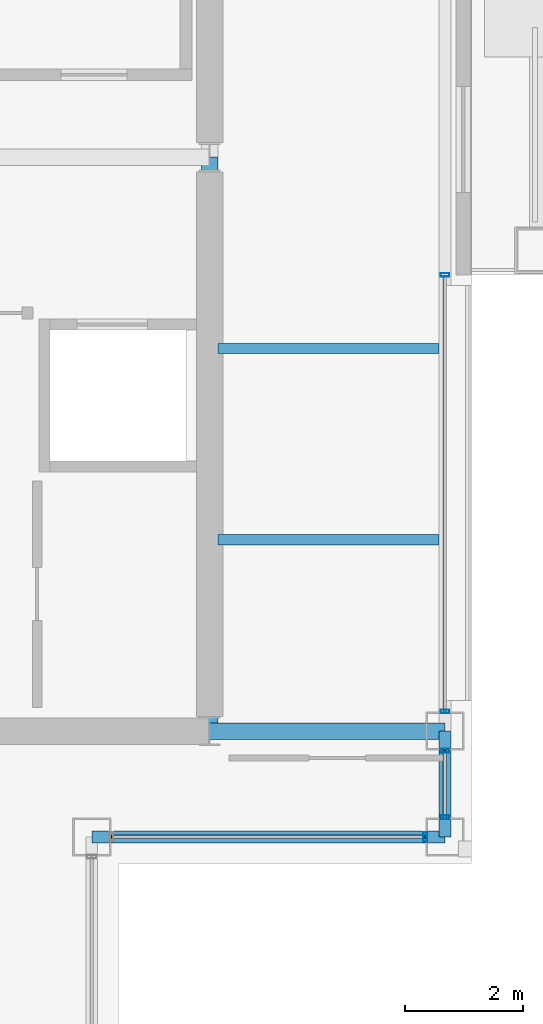
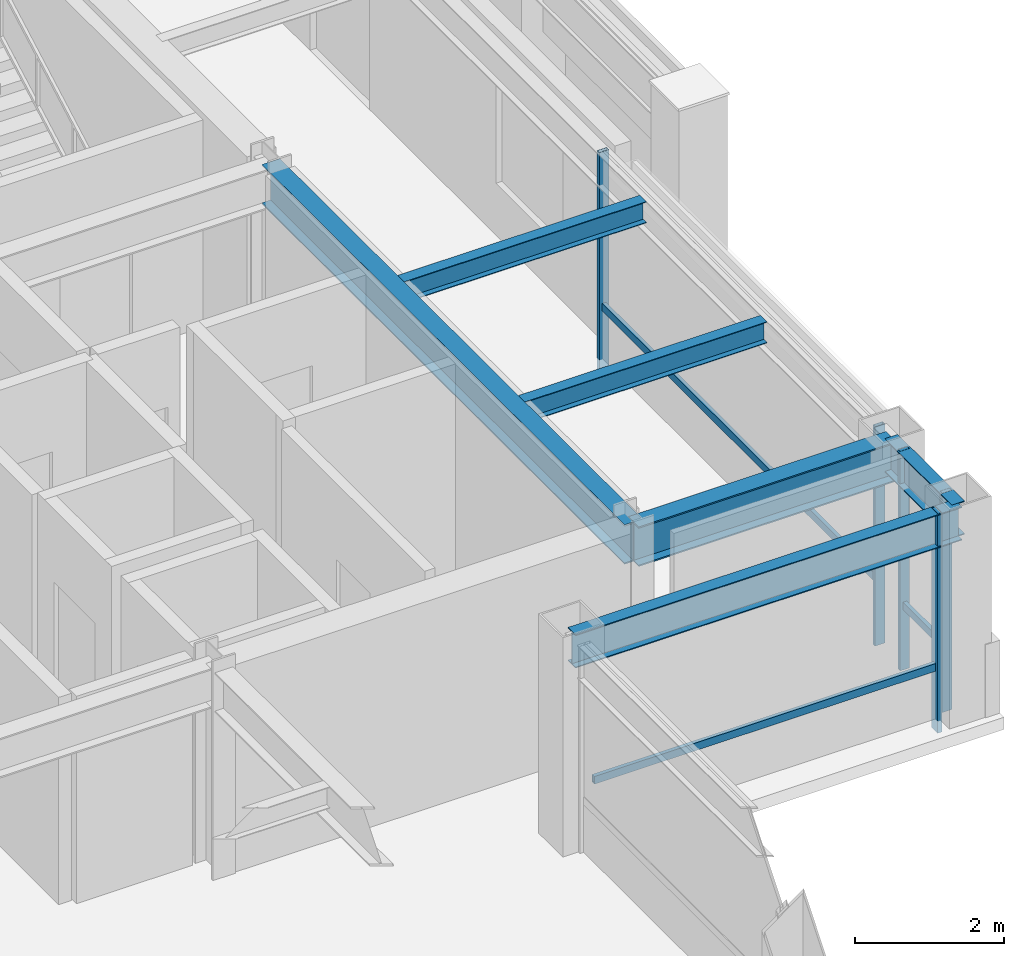
# One storey, part 11 of 23: 8 members, 6 beams, 3 elements without a shape of their own.
"""IFC4 building model written with IfcOpenShell, lengths in metres."""

import ifcopenshell
import ifcopenshell.guid

model = None  # the IFC model being written
_history = None  # IfcOwnerHistory: only IFC2X3 demands one
_inside = {}  # id of a spatial element -> (the spatial element, [elements in it])
_under = {}  # id of a project, library or spatial element -> (it, [spatial elements below it])
_declared = {}  # id of a project -> (the project, [libraries it declares])
_typed = {}  # id of a type object -> (the type object, [elements of that type])
_made_of = {}  # id of a material, layer set ... -> (it, [elements and type objects made of it])


def new_model(schema):
    """Start an empty IFC model of exactly this schema.

    Asked for "IFC4X3", IfcOpenShell would pick the latest addendum, in which some entities
    have other attributes; the version numbers below select the first issue.
    IFC2X3 requires an IfcOwnerHistory on every rooted entity: one is made here for all.
    """
    global model, _history
    if schema == "IFC4X3":
        model = ifcopenshell.file(schema_version=(4, 3, 0, 0))
    else:
        model = ifcopenshell.file(schema=schema)
    _inside.clear()
    _under.clear()
    _declared.clear()
    _typed.clear()
    _made_of.clear()
    _history = None
    if model.schema == "IFC2X3":
        org = make("IfcOrganization", Name="unknown")
        user = make(
            "IfcPersonAndOrganization",
            ThePerson=make("IfcPerson", FamilyName="unknown"),
            TheOrganization=org,
        )
        app = make(
            "IfcApplication",
            ApplicationDeveloper=org,
            Version="unknown",
            ApplicationFullName="unknown",
            ApplicationIdentifier="unknown",
        )
        _history = make(
            "IfcOwnerHistory",
            OwningUser=user,
            OwningApplication=app,
            ChangeAction="ADDED",
            CreationDate=0,
        )
    return model


def make(cls, **values):
    """One entity of the class cls with the attributes given. An attribute that is None is left unset."""
    return model.create_entity(
        cls, **{name: value for name, value in values.items() if value is not None}
    )


def rooted(cls, **values):
    """An entity with a GlobalId (a new one), such as an element, a storey or a relation."""
    return make(cls, GlobalId=ifcopenshell.guid.new(), OwnerHistory=_history, **values)


def si_unit(unit_type, name, prefix=None):
    """IfcSIUnit, for example si_unit("LENGTHUNIT", "METRE", prefix="MILLI")."""
    return make("IfcSIUnit", UnitType=unit_type, Prefix=prefix, Name=name)


def assignment(units):
    """IfcUnitAssignment: the units of a project."""
    return None if units is None else make("IfcUnitAssignment", Units=units)


def point(xyz):
    """IfcCartesianPoint."""
    return None if xyz is None else make("IfcCartesianPoint", Coordinates=xyz)


def direction(xyz):
    """IfcDirection."""
    return None if xyz is None else make("IfcDirection", DirectionRatios=xyz)


def frame(location, z_axis=None, x_axis=None):
    """IfcAxis2Placement3D, a coordinate frame: its origin and axes. An axis left out is left unset."""
    return make(
        "IfcAxis2Placement3D",
        Location=point(location),
        Axis=direction(z_axis),
        RefDirection=direction(x_axis),
    )


def frame_2d(location, x_axis=None):
    """IfcAxis2Placement2D, a coordinate frame in the plane: its origin and x axis."""
    return make(
        "IfcAxis2Placement2D", Location=point(location), RefDirection=direction(x_axis)
    )


def origin():
    """The frame at (0, 0, 0) with its axes left unset."""
    return frame((0.0, 0.0, 0.0))


def origin_2d():
    """The frame at (0, 0) in the plane with its x axis left unset."""
    return frame_2d((0.0, 0.0))


def place(relative_to, where):
    """IfcLocalPlacement: puts the frame where relative to a parent placement (None: the world)."""
    return make(
        "IfcLocalPlacement", PlacementRelTo=relative_to, RelativePlacement=where
    )


def context(
    kind, dimensions, precision=None, world=None, true_north=None, identifier=None
):
    """IfcGeometricRepresentationContext, for example the 3D "Model" context."""
    return make(
        "IfcGeometricRepresentationContext",
        ContextIdentifier=identifier,
        ContextType=kind,
        CoordinateSpaceDimension=dimensions,
        Precision=precision,
        WorldCoordinateSystem=world,
        TrueNorth=true_north,
    )


def subcontext(parent, identifier, kind, view, scale=None):
    """IfcGeometricRepresentationSubContext, for example "Body" below "Model"."""
    return make(
        "IfcGeometricRepresentationSubContext",
        ContextIdentifier=identifier,
        ContextType=kind,
        ParentContext=parent,
        TargetScale=scale,
        TargetView=view,
    )


def project(units=None, contexts=None):
    """IfcProject with its units and contexts."""
    return rooted(
        "IfcProject",
        Name="project",
        RepresentationContexts=contexts,
        UnitsInContext=assignment(units),
    )


def spatial(cls, under=None, at=None, **own):
    """A site, building, storey or space (cls), placed at a placement, below another one or the project."""
    s = rooted(cls, ObjectPlacement=at, **own)
    if under is not None:
        _under.setdefault(under.id(), (under, []))[1].append(s)
    return s


def profile(cls, at=None, kind="AREA", **sizes):
    """A parametric profile (cls). Its sizes go by their IFC names, for example OverallWidth=200.0."""
    return make(cls, ProfileType=kind, Position=at, **sizes)


def hollow_rectangle(**sizes):
    """IfcRectangleHollowProfileDef."""
    return profile("IfcRectangleHollowProfileDef", **sizes)


def i_section(**sizes):
    """IfcIShapeProfileDef."""
    return profile("IfcIShapeProfileDef", **sizes)


def extrude(swept, where, along, depth):
    """IfcExtrudedAreaSolid: the profile swept, set in the frame where, extruded along a direction by depth."""
    return make(
        "IfcExtrudedAreaSolid",
        SweptArea=swept,
        Position=where,
        ExtrudedDirection=direction(along),
        Depth=depth,
    )


def shape(context_of_items, identifier, shape_type, items):
    """IfcShapeRepresentation: the items that make up one representation, for example the "Body"."""
    return make(
        "IfcShapeRepresentation",
        ContextOfItems=context_of_items,
        RepresentationIdentifier=identifier,
        RepresentationType=shape_type,
        Items=items,
    )


def material(Name=None, Category=None):
    """IfcMaterial."""
    return make("IfcMaterial", Name=Name, Category=Category)


def layer(
    of_material, thickness, ventilated=None, Name=None, Category=None, Priority=None
):
    """IfcMaterialLayer: one layer of a wall or slab, of a material (None: an air gap)."""
    return make(
        "IfcMaterialLayer",
        Material=of_material,
        LayerThickness=thickness,
        IsVentilated=ventilated,
        Name=Name,
        Category=Category,
        Priority=Priority,
    )


def layer_set(layers, Name=None):
    """IfcMaterialLayerSet."""
    return make("IfcMaterialLayerSet", MaterialLayers=layers, LayerSetName=Name)


def material_profile(
    of_material, cross_section, Name=None, Category=None, Priority=None
):
    """IfcMaterialProfile: a cross section and its material."""
    return make(
        "IfcMaterialProfile",
        Name=Name,
        Material=of_material,
        Profile=cross_section,
        Priority=Priority,
        Category=Category,
    )


def profile_set(profiles, Name=None, composite=None):
    """IfcMaterialProfileSet."""
    return make(
        "IfcMaterialProfileSet",
        Name=Name,
        MaterialProfiles=profiles,
        CompositeProfile=composite,
    )


def made_of(thing, what):
    """Note that an element or type object is made of a material, layer set ...; save() writes the relation."""
    if what is not None:
        _made_of.setdefault(what.id(), (what, []))[1].append(thing)
    return thing


def type_object(cls, material=None, **own):
    """A type object (cls), such as IfcWallType, which elements share."""
    return made_of(rooted(cls, **own), material)


def element(
    cls,
    number,
    at=None,
    inside=None,
    cuts=None,
    type_object=None,
    material=None,
    context=None,
    identifier="Body",
    shape_type=None,
    held_by="IfcProductDefinitionShape",
    body=None,
    shapes=None,
    **own,
):
    """One element of the class cls, such as IfcWall. Its Tag is "e" and its number.

    at: its placement. inside: the storey or other place that contains it. cuts: it is an
    opening in that element (IfcRelVoidsElement). A single representation is given by context,
    identifier, shape_type and body (its items); several are given by shapes. held_by: the class
    of the entity that holds the representations. save() writes the other relations.
    """
    e = rooted(cls, Tag="e%d" % number, ObjectPlacement=at, **own)
    if body is not None:
        shapes = [shape(context, identifier, shape_type, body)]
    if shapes is not None:
        e.Representation = make(held_by, Representations=shapes)
    if inside is not None:
        _inside.setdefault(inside.id(), (inside, []))[1].append(e)
    if cuts is not None:
        rooted(
            "IfcRelVoidsElement", RelatingBuildingElement=cuts, RelatedOpeningElement=e
        )
    if type_object is not None:
        _typed.setdefault(type_object.id(), (type_object, []))[1].append(e)
    return made_of(e, material)


def aggregate(whole, parts):
    """IfcRelAggregates: a whole, such as a stair, and the parts it consists of."""
    return rooted("IfcRelAggregates", RelatingObject=whole, RelatedObjects=parts)


def save(model, path):
    """Write the relations noted so far, then the file.

    IfcRelAggregates (storeys below a building ...), IfcRelContainedInSpatialStructure (elements
    in a storey), IfcRelDefinesByType, IfcRelAssociatesMaterial and IfcRelDeclares: one each for
    every whole, place, type object, material and project.
    """
    for whole, parts in _under.values():
        aggregate(whole, parts)
    for where, things in _inside.values():
        rooted(
            "IfcRelContainedInSpatialStructure",
            RelatedElements=things,
            RelatingStructure=where,
        )
    for kind, things in _typed.values():
        rooted("IfcRelDefinesByType", RelatedObjects=things, RelatingType=kind)
    for what, things in _made_of.values():
        rooted("IfcRelAssociatesMaterial", RelatedObjects=things, RelatingMaterial=what)
    for by, libraries in _declared.values():
        rooted("IfcRelDeclares", RelatingContext=by, RelatedDefinitions=libraries)
    model.write(path)


model = new_model("IFC4")

# Units and contexts
model_context = context("Model", 3, precision=1e-05, world=origin(), true_north=direction((0.0, 1.0)))
body_context = subcontext(model_context, "Body", "Model", "MODEL_VIEW")
ifc_project = project(units=[si_unit("LENGTHUNIT", "METRE"), si_unit("AREAUNIT", "SQUARE_METRE"), si_unit("VOLUMEUNIT", "CUBIC_METRE"), si_unit("PLANEANGLEUNIT", "RADIAN"), si_unit("MASSUNIT", "GRAM", prefix="KILO")], contexts=[model_context])

# Site, building, storey
site_placement = place(None, origin())
site = spatial("IfcSite", under=ifc_project, at=site_placement, CompositionType="ELEMENT")
building_placement = place(site_placement, origin())
building = spatial("IfcBuilding", under=site, at=building_placement, Name="Brelmoor Portico Tower", CompositionType="ELEMENT")
storey_placement = place(building_placement, frame((0.0, 0.0, 222.0)))
storey = spatial("IfcBuildingStorey", under=building, at=storey_placement, Name="L58", CompositionType="ELEMENT", Elevation=222.0)

# Beams
ifc_material_1 = material(Name="Steel Q355B", Category="steel")
ifc_material_profile_1 = material_profile(ifc_material_1, i_section(OverallWidth=0.175048828125, OverallDepth=0.35009765625, WebThickness=0.007080078125, FlangeThickness=0.010986328125, at=origin_2d()), Name="HN 350x175x7x11")
ifc_profile_set_1 = profile_set([ifc_material_profile_1], Name="Steel Q355B")
beam_type_1 = type_object("IfcBeamType", Name="BM-JS-350", PredefinedType="JOIST", material=ifc_profile_set_1)
for number, where, z_axis, x_axis, name in (
    (1, (14.68994140625, -6.5, 3.22509765625), (1.0, 0.0, 0.0), (0.0, 1.0, 0.0), "L58 Secondary Wing Joist JS-E11"),
    (2, (14.68994140625, -3.25, 3.22509765625), (1.0, 0.0, 0.0), (0.0, 1.0, 0.0), "L58 Secondary Wing Joist JS-E12"),
):
    element("IfcBeam", number, at=place(storey_placement, frame(where, z_axis=z_axis, x_axis=x_axis)), inside=storey, type_object=beam_type_1, Name=name, PredefinedType="JOIST", context=body_context, shape_type="SweptSolid", body=[
        extrude(i_section(OverallWidth=0.175048828125, OverallDepth=0.35009765625, WebThickness=0.007080078125, FlangeThickness=0.010986328125, at=origin_2d()), origin(), (0.0, 0.0, 1.0), 3.760009765625),
    ])
ifc_material_profile_2 = material_profile(ifc_material_1, i_section(OverallWidth=0.280029296875, OverallDepth=0.64990234375, WebThickness=0.012939453125, FlangeThickness=0.02197265625, at=origin_2d()), Name="HN 650x280x13x22")
ifc_profile_set_2 = profile_set([ifc_material_profile_2], Name="Steel Q355B")
beam_type_2 = type_object("IfcBeamType", Name="BM-PG-650", PredefinedType="BEAM", material=ifc_profile_set_2)
beam_1_placement = place(storey_placement, frame((14.550048828125, -9.75, 3.074951171875), z_axis=(0.0, 1.0, 0.0), x_axis=(-1.0, 0.0, 0.0)))
element("IfcBeam", 3, at=beam_1_placement, inside=storey, type_object=beam_type_2, Name="L58 Primary Floor Girder PG-09", PredefinedType="BEAM", context=body_context, shape_type="SweptSolid", body=[
    extrude(i_section(OverallWidth=0.280029296875, OverallDepth=0.64990234375, WebThickness=0.012939453125, FlangeThickness=0.02197265625, at=origin_2d()), origin(), (0.0, 0.0, 1.0), 9.75),
])
beam_2_placement = place(storey_placement, frame((14.550048828125, -9.75, 3.074951171875), z_axis=(1.0, 0.0, 0.0), x_axis=(0.0, 1.0, 0.0)))
element("IfcBeam", 4, at=beam_2_placement, inside=storey, type_object=beam_type_2, Name="L58 Primary Floor Girder PG-15", PredefinedType="BEAM", context=body_context, shape_type="SweptSolid", body=[
    extrude(i_section(OverallWidth=0.280029296875, OverallDepth=0.64990234375, WebThickness=0.012939453125, FlangeThickness=0.02197265625, at=origin_2d()), origin(), (0.0, 0.0, 1.0), 4.0),
])
ifc_material_profile_3 = material_profile(ifc_material_1, i_section(OverallWidth=0.199951171875, OverallDepth=0.550048828125, WebThickness=0.010009765625, FlangeThickness=0.01611328125, at=origin_2d()), Name="HN 550x200x10x16")
ifc_profile_set_3 = profile_set([ifc_material_profile_3], Name="Steel Q355B")
beam_type_3 = type_object("IfcBeamType", Name="BM-SP-550", PredefinedType="SPANDREL", material=ifc_profile_set_3)
beam_3_placement = place(storey_placement, frame((12.550048828125, -11.550048828125, 3.125), z_axis=(1.0, 0.0, 0.0), x_axis=(0.0, 1.0, 0.0)))
element("IfcBeam", 5, at=beam_3_placement, inside=storey, type_object=beam_type_3, Name="L58 Perimeter Spandrel Beam SP-05", PredefinedType="SPANDREL", context=body_context, shape_type="SweptSolid", body=[
    extrude(i_section(OverallWidth=0.199951171875, OverallDepth=0.550048828125, WebThickness=0.010009765625, FlangeThickness=0.01611328125, at=origin_2d()), origin(), (0.0, 0.0, 1.0), 6.0),
])
beam_4_placement = place(storey_placement, frame((18.550048828125, -11.550048828125, 3.125), z_axis=(0.0, 1.0, 0.0), x_axis=(-1.0, 0.0, 0.0)))
element("IfcBeam", 6, at=beam_4_placement, inside=storey, type_object=beam_type_3, Name="L58 Perimeter Spandrel Beam SP-18", PredefinedType="SPANDREL", context=body_context, shape_type="SweptSolid", body=[
    extrude(i_section(OverallWidth=0.199951171875, OverallDepth=0.550048828125, WebThickness=0.010009765625, FlangeThickness=0.01611328125, at=origin_2d()), origin(), (0.0, 0.0, 1.0), 1.800048828125),
])

# Curtain wall, members
ifc_material_2 = material(Name="Anodised Aluminium Alloy 6063-T6", Category="aluminium")
ifc_layer_1 = layer(ifc_material_2, 0.179931640625)
ifc_layer_set_1 = layer_set([ifc_layer_1], Name="Anodised Aluminium Alloy 6063-T6")
curtain_wall_type_1 = type_object("IfcCurtainWallType", Name="CW-TOWER-Z4", PredefinedType="NOTDEFINED", material=ifc_layer_set_1)
curtain_wall_1_placement = place(storey_placement, origin())
curtain_wall_1 = element("IfcCurtainWall", 7, at=curtain_wall_1_placement, inside=storey, type_object=curtain_wall_type_1, Name="L58 Curtain Wall CW-L58-4L-1", PredefinedType="NOTDEFINED")
ifc_material_profile_4 = material_profile(ifc_material_2, hollow_rectangle(XDim=0.06005859375, YDim=0.14990234375, WallThickness=0.00390625, at=origin_2d()), Name="ALU MULLION 60x150")
ifc_profile_set_4 = profile_set([ifc_material_profile_4], Name="Anodised Aluminium Alloy 6063-T6")
member_type_1 = type_object("IfcMemberType", Name="MB-CW-MULL-150", PredefinedType="MULLION", material=ifc_profile_set_4)
member_1_placement = place(storey_placement, frame((18.550048828125, -11.215087890625, -0.199951171875), z_axis=(0.0, 0.0, 1.0), x_axis=(0.0, 1.0, 0.0)))
member_1 = element("IfcMember", 8, at=member_1_placement, type_object=member_type_1, Name="CW-L58-4L-1 Mullion 00", PredefinedType="MULLION", context=body_context, shape_type="SweptSolid", body=[
    extrude(hollow_rectangle(XDim=0.06005859375, YDim=0.14990234375, WallThickness=0.00390625, at=origin_2d()), origin(), (0.0, 0.0, 1.0), 3.599853515625),
])
member_2_placement = place(storey_placement, frame((18.550048828125, -10.0849609375, -0.199951171875), z_axis=(0.0, 0.0, 1.0), x_axis=(0.0, 1.0, 0.0)))
member_2 = element("IfcMember", 9, at=member_2_placement, type_object=member_type_1, Name="CW-L58-4L-1 Mullion 01", PredefinedType="MULLION", context=body_context, shape_type="SweptSolid", body=[
    extrude(hollow_rectangle(XDim=0.06005859375, YDim=0.14990234375, WallThickness=0.00390625, at=origin_2d()), origin(), (0.0, 0.0, 1.0), 3.599853515625),
])

curtain_wall_2_placement = place(storey_placement, origin())
curtain_wall_2 = element("IfcCurtainWall", 10, at=curtain_wall_2_placement, inside=storey, type_object=curtain_wall_type_1, Name="L58 Curtain Wall CW-L58-4L-2", PredefinedType="NOTDEFINED")
member_3_placement = place(storey_placement, frame((18.550048828125, -9.4150390625, -0.199951171875), z_axis=(0.0, 0.0, 1.0), x_axis=(0.0, 1.0, 0.0)))
member_3 = element("IfcMember", 11, at=member_3_placement, type_object=member_type_1, Name="CW-L58-4L-2 Mullion 00", PredefinedType="MULLION", context=body_context, shape_type="SweptSolid", body=[
    extrude(hollow_rectangle(XDim=0.06005859375, YDim=0.14990234375, WallThickness=0.00390625, at=origin_2d()), origin(), (0.0, 0.0, 1.0), 3.599853515625),
])
member_4_placement = place(storey_placement, frame((18.550048828125, -2.0, -0.199951171875), z_axis=(0.0, 0.0, 1.0), x_axis=(0.0, 1.0, 0.0)))
member_4 = element("IfcMember", 12, at=member_4_placement, type_object=member_type_1, Name="CW-L58-4L-2 Mullion 01", PredefinedType="MULLION", context=body_context, shape_type="SweptSolid", body=[
    extrude(hollow_rectangle(XDim=0.06005859375, YDim=0.14990234375, WallThickness=0.00390625, at=origin_2d()), origin(), (0.0, 0.0, 1.0), 3.599853515625),
])

# Curtain wall, member
ifc_layer_2 = layer(ifc_material_2, 0.179931640625)
ifc_layer_set_2 = layer_set([ifc_layer_2], Name="Anodised Aluminium Alloy 6063-T6")
curtain_wall_type_2 = type_object("IfcCurtainWallType", Name="CW-NOTCH-CHAMFER", PredefinedType="NOTDEFINED", material=ifc_layer_set_2)
curtain_wall_3_placement = place(storey_placement, origin())
curtain_wall_3 = element("IfcCurtainWall", 13, at=curtain_wall_3_placement, inside=storey, type_object=curtain_wall_type_2, Name="L58 Curtain Wall CWN-L58-SEH", PredefinedType="NOTDEFINED")
ifc_material_profile_5 = material_profile(ifc_material_2, hollow_rectangle(XDim=0.06494140625, YDim=0.1650390625, WallThickness=0.00390625, at=origin_2d()), Name="ALU MULLION 65x165")
ifc_profile_set_5 = profile_set([ifc_material_profile_5], Name="Anodised Aluminium Alloy 6063-T6")
member_type_2 = type_object("IfcMemberType", Name="MB-CW-MULL-165", PredefinedType="MULLION", material=ifc_profile_set_5)
member_5_placement = place(storey_placement, frame((18.215087890625, -11.550048828125, -0.199951171875), z_axis=(0.0, 0.0, 1.0), x_axis=(1.0, 0.0, 0.0)))
member_5 = element("IfcMember", 14, at=member_5_placement, type_object=member_type_2, Name="CWN-L58-SEH Mullion 01", PredefinedType="MULLION", context=body_context, shape_type="SweptSolid", body=[
    extrude(hollow_rectangle(XDim=0.06494140625, YDim=0.1650390625, WallThickness=0.00390625, at=origin_2d()), origin(), (0.0, 0.0, 1.0), 3.599853515625),
])

# Member
ifc_material_profile_6 = material_profile(ifc_material_2, hollow_rectangle(XDim=0.06005859375, YDim=0.125, WallThickness=0.00341796875, at=origin_2d()), Name="ALU TRANSOM 60x125")
ifc_profile_set_6 = profile_set([ifc_material_profile_6], Name="Anodised Aluminium Alloy 6063-T6")
member_type_3 = type_object("IfcMemberType", Name="MB-CW-TRAN-125", PredefinedType="USERDEFINED", material=ifc_profile_set_6)
member_6_placement = place(storey_placement, frame((18.550048828125, -11.215087890625, 0.85009765625), z_axis=(0.0, 1.0, 0.0), x_axis=(-1.0, 0.0, 0.0)))
member_6 = element("IfcMember", 15, at=member_6_placement, type_object=member_type_3, Name="CW-L58-4L-1 Transom 1-00", ObjectType="TRANSOM", PredefinedType="USERDEFINED", context=body_context, shape_type="SweptSolid", body=[
    extrude(hollow_rectangle(XDim=0.06005859375, YDim=0.125, WallThickness=0.00341796875, at=origin_2d()), origin(), (0.0, 0.0, 1.0), 1.130126953125),
])

aggregate(curtain_wall_1, [member_1, member_2, member_6])

member_7_placement = place(storey_placement, frame((18.550048828125, -9.4150390625, 0.85009765625), z_axis=(0.0, 1.0, 0.0), x_axis=(-1.0, 0.0, 0.0)))
member_7 = element("IfcMember", 16, at=member_7_placement, type_object=member_type_3, Name="CW-L58-4L-2 Transom 1-00", ObjectType="TRANSOM", PredefinedType="USERDEFINED", context=body_context, shape_type="SweptSolid", body=[
    extrude(hollow_rectangle(XDim=0.06005859375, YDim=0.125, WallThickness=0.00341796875, at=origin_2d()), origin(), (0.0, 0.0, 1.0), 7.4150390625),
])

aggregate(curtain_wall_2, [member_3, member_4, member_7])

member_8_placement = place(storey_placement, frame((12.885009765625, -11.550048828125, 0.85009765625), z_axis=(1.0, 0.0, 0.0), x_axis=(0.0, 1.0, 0.0)))
member_8 = element("IfcMember", 17, at=member_8_placement, type_object=member_type_3, Name="CWN-L58-SEH Transom 1-00", ObjectType="TRANSOM", PredefinedType="USERDEFINED", context=body_context, shape_type="SweptSolid", body=[
    extrude(hollow_rectangle(XDim=0.06005859375, YDim=0.125, WallThickness=0.00341796875, at=origin_2d()), origin(), (0.0, 0.0, 1.0), 5.330078125),
])

aggregate(curtain_wall_3, [member_5, member_8])

save(model, "model.ifc")
